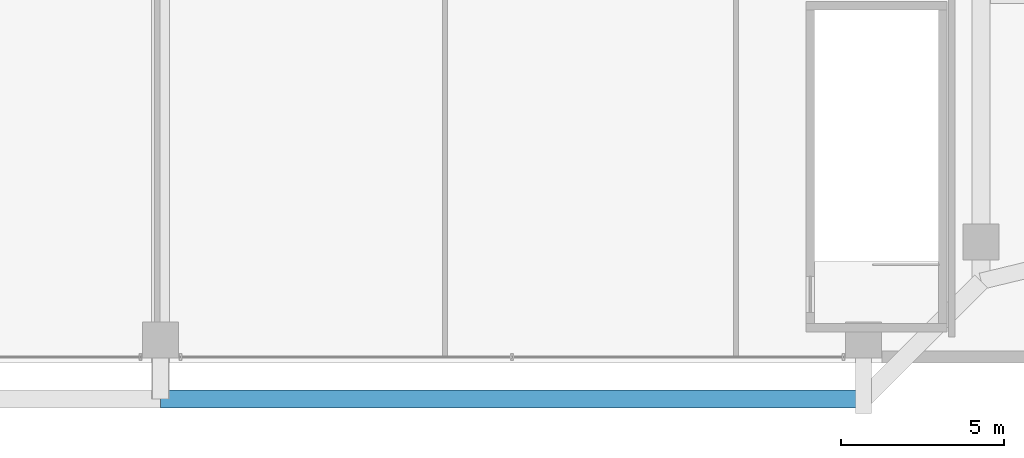
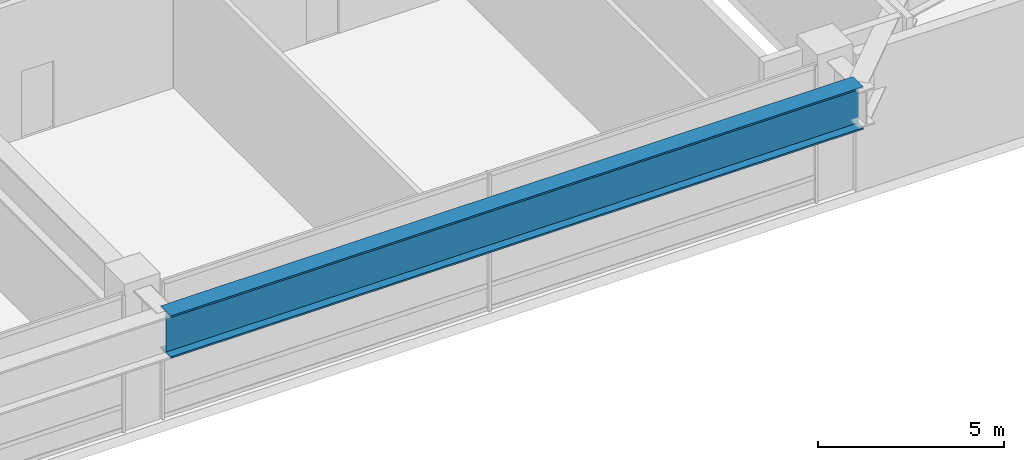
# One storey, part 12 of 34: 1 beam.
"""IFC4 building model written with IfcOpenShell, lengths in metres."""

from ifc_helpers import new_model, si_unit, direction, frame, origin, origin_2d, place, context, subcontext, project, spatial, i_section, extrude, source, transform, mapped, material, material_profile, profile_set, type_object, element, save


model = new_model("IFC4")

# Units and contexts
model_context = context("Model", 3, precision=1e-05, world=origin(), true_north=direction((0.0, 1.0)))
body_context = subcontext(model_context, "Body", "Model", "MODEL_VIEW")
ifc_project = project(units=[si_unit("LENGTHUNIT", "METRE"), si_unit("AREAUNIT", "SQUARE_METRE"), si_unit("VOLUMEUNIT", "CUBIC_METRE"), si_unit("PLANEANGLEUNIT", "RADIAN"), si_unit("MASSUNIT", "GRAM", prefix="KILO"), si_unit("THERMODYNAMICTEMPERATUREUNIT", "KELVIN"), si_unit("POWERUNIT", "WATT")], contexts=[model_context])

# Site, building, storey
site_placement = place(None, origin())
site = spatial("IfcSite", under=ifc_project, at=site_placement, CompositionType="ELEMENT")
building_placement = place(site_placement, origin())
building = spatial("IfcBuilding", under=site, at=building_placement, Name="Yuzanri Waterfront Tower", CompositionType="ELEMENT")
storey_placement = place(building_placement, frame((0.0, 0.0, 25.800048828125)))
storey = spatial("IfcBuildingStorey", under=building, at=storey_placement, Name="L06", CompositionType="ELEMENT", Elevation=25.800048828125)

# Beam
ifc_material = material(Name="Steel Q420GJC", Category="steel")
ifc_material_profile = material_profile(ifc_material, i_section(OverallWidth=0.550048828125, OverallDepth=1.39990234375, WebThickness=0.030029296875, FlangeThickness=0.054931640625, at=origin_2d()), Name="PG 1400x550x30x55")
ifc_profile_set = profile_set([ifc_material_profile], Name="Steel Q420GJC")
beam_type = type_object("IfcBeamType", Name="Tower Base Transfer Girder Q420GJC PG 1400x550", PredefinedType="USERDEFINED", material=ifc_profile_set)
shared_shape = source(origin(), body_context, "Body", "SweptSolid", [
    extrude(i_section(OverallWidth=0.550048828125, OverallDepth=1.39990234375, WebThickness=0.030029296875, FlangeThickness=0.054931640625, at=origin_2d()), origin(), (0.0, 0.0, 1.0), 21.5),
])
beam_placement = place(storey_placement, frame((37.0, 0.699951171875, 3.800048828125), z_axis=(1.0, 0.0, 0.0), x_axis=(0.0, 1.0, 0.0)))
element("IfcBeam", 1, at=beam_placement, inside=storey, type_object=beam_type, Name="L06 Tower Base Ring S2-S3", ObjectType="GIRDER", PredefinedType="USERDEFINED", context=body_context, shape_type="MappedRepresentation", body=[
    mapped(shared_shape, transform((0.0, 0.0, 0.0), scale=1.0)),
])

save(model, "model.ifc")
